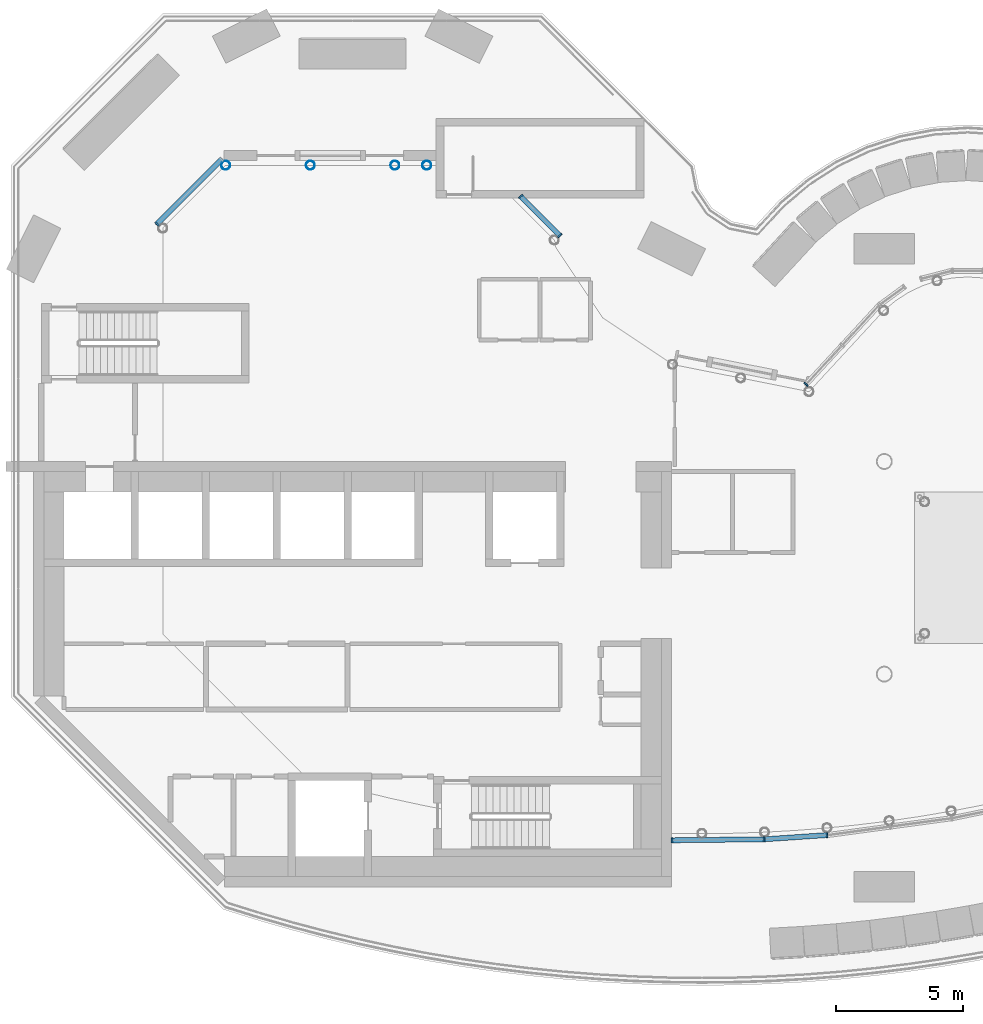
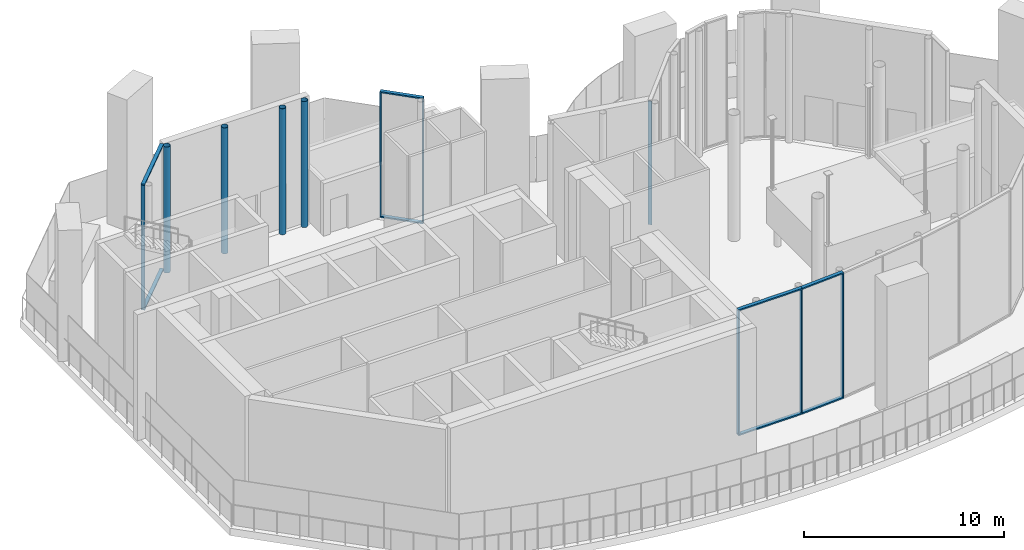
# One storey, part 3 of 14: 15 members, 4 columns, 5 elements without a shape of their own.
"""IFC4 building model written with IfcOpenShell, lengths in metres."""

import ifcopenshell
import ifcopenshell.guid

model = None  # the IFC model being written
_history = None  # IfcOwnerHistory: only IFC2X3 demands one
_inside = {}  # id of a spatial element -> (the spatial element, [elements in it])
_under = {}  # id of a project, library or spatial element -> (it, [spatial elements below it])
_declared = {}  # id of a project -> (the project, [libraries it declares])
_typed = {}  # id of a type object -> (the type object, [elements of that type])
_made_of = {}  # id of a material, layer set ... -> (it, [elements and type objects made of it])


def new_model(schema):
    """Start an empty IFC model of exactly this schema.

    Asked for "IFC4X3", IfcOpenShell would pick the latest addendum, in which some entities
    have other attributes; the version numbers below select the first issue.
    IFC2X3 requires an IfcOwnerHistory on every rooted entity: one is made here for all.
    """
    global model, _history
    if schema == "IFC4X3":
        model = ifcopenshell.file(schema_version=(4, 3, 0, 0))
    else:
        model = ifcopenshell.file(schema=schema)
    _inside.clear()
    _under.clear()
    _declared.clear()
    _typed.clear()
    _made_of.clear()
    _history = None
    if model.schema == "IFC2X3":
        org = make("IfcOrganization", Name="unknown")
        user = make(
            "IfcPersonAndOrganization",
            ThePerson=make("IfcPerson", FamilyName="unknown"),
            TheOrganization=org,
        )
        app = make(
            "IfcApplication",
            ApplicationDeveloper=org,
            Version="unknown",
            ApplicationFullName="unknown",
            ApplicationIdentifier="unknown",
        )
        _history = make(
            "IfcOwnerHistory",
            OwningUser=user,
            OwningApplication=app,
            ChangeAction="ADDED",
            CreationDate=0,
        )
    return model


def make(cls, **values):
    """One entity of the class cls with the attributes given. An attribute that is None is left unset."""
    return model.create_entity(
        cls, **{name: value for name, value in values.items() if value is not None}
    )


def rooted(cls, **values):
    """An entity with a GlobalId (a new one), such as an element, a storey or a relation."""
    return make(cls, GlobalId=ifcopenshell.guid.new(), OwnerHistory=_history, **values)


def si_unit(unit_type, name, prefix=None):
    """IfcSIUnit, for example si_unit("LENGTHUNIT", "METRE", prefix="MILLI")."""
    return make("IfcSIUnit", UnitType=unit_type, Prefix=prefix, Name=name)


def assignment(units):
    """IfcUnitAssignment: the units of a project."""
    return None if units is None else make("IfcUnitAssignment", Units=units)


def point(xyz):
    """IfcCartesianPoint."""
    return None if xyz is None else make("IfcCartesianPoint", Coordinates=xyz)


def direction(xyz):
    """IfcDirection."""
    return None if xyz is None else make("IfcDirection", DirectionRatios=xyz)


def frame(location, z_axis=None, x_axis=None):
    """IfcAxis2Placement3D, a coordinate frame: its origin and axes. An axis left out is left unset."""
    return make(
        "IfcAxis2Placement3D",
        Location=point(location),
        Axis=direction(z_axis),
        RefDirection=direction(x_axis),
    )


def frame_2d(location, x_axis=None):
    """IfcAxis2Placement2D, a coordinate frame in the plane: its origin and x axis."""
    return make(
        "IfcAxis2Placement2D", Location=point(location), RefDirection=direction(x_axis)
    )


def origin():
    """The frame at (0, 0, 0) with its axes left unset."""
    return frame((0.0, 0.0, 0.0))


def origin_2d():
    """The frame at (0, 0) in the plane with its x axis left unset."""
    return frame_2d((0.0, 0.0))


def place(relative_to, where):
    """IfcLocalPlacement: puts the frame where relative to a parent placement (None: the world)."""
    return make(
        "IfcLocalPlacement", PlacementRelTo=relative_to, RelativePlacement=where
    )


def context(
    kind, dimensions, precision=None, world=None, true_north=None, identifier=None
):
    """IfcGeometricRepresentationContext, for example the 3D "Model" context."""
    return make(
        "IfcGeometricRepresentationContext",
        ContextIdentifier=identifier,
        ContextType=kind,
        CoordinateSpaceDimension=dimensions,
        Precision=precision,
        WorldCoordinateSystem=world,
        TrueNorth=true_north,
    )


def subcontext(parent, identifier, kind, view, scale=None):
    """IfcGeometricRepresentationSubContext, for example "Body" below "Model"."""
    return make(
        "IfcGeometricRepresentationSubContext",
        ContextIdentifier=identifier,
        ContextType=kind,
        ParentContext=parent,
        TargetScale=scale,
        TargetView=view,
    )


def project(units=None, contexts=None):
    """IfcProject with its units and contexts."""
    return rooted(
        "IfcProject",
        Name="project",
        RepresentationContexts=contexts,
        UnitsInContext=assignment(units),
    )


def spatial(cls, under=None, at=None, **own):
    """A site, building, storey or space (cls), placed at a placement, below another one or the project."""
    s = rooted(cls, ObjectPlacement=at, **own)
    if under is not None:
        _under.setdefault(under.id(), (under, []))[1].append(s)
    return s


def profile(cls, at=None, kind="AREA", **sizes):
    """A parametric profile (cls). Its sizes go by their IFC names, for example OverallWidth=200.0."""
    return make(cls, ProfileType=kind, Position=at, **sizes)


def rectangle(**sizes):
    """IfcRectangleProfileDef."""
    return profile("IfcRectangleProfileDef", **sizes)


def hollow_circle(**sizes):
    """IfcCircleHollowProfileDef."""
    return profile("IfcCircleHollowProfileDef", **sizes)


def extrude(swept, where, along, depth):
    """IfcExtrudedAreaSolid: the profile swept, set in the frame where, extruded along a direction by depth."""
    return make(
        "IfcExtrudedAreaSolid",
        SweptArea=swept,
        Position=where,
        ExtrudedDirection=direction(along),
        Depth=depth,
    )


def shape(context_of_items, identifier, shape_type, items):
    """IfcShapeRepresentation: the items that make up one representation, for example the "Body"."""
    return make(
        "IfcShapeRepresentation",
        ContextOfItems=context_of_items,
        RepresentationIdentifier=identifier,
        RepresentationType=shape_type,
        Items=items,
    )


def material(Name=None, Category=None):
    """IfcMaterial."""
    return make("IfcMaterial", Name=Name, Category=Category)


def material_profile(
    of_material, cross_section, Name=None, Category=None, Priority=None
):
    """IfcMaterialProfile: a cross section and its material."""
    return make(
        "IfcMaterialProfile",
        Name=Name,
        Material=of_material,
        Profile=cross_section,
        Priority=Priority,
        Category=Category,
    )


def profile_set(profiles, Name=None, composite=None):
    """IfcMaterialProfileSet."""
    return make(
        "IfcMaterialProfileSet",
        Name=Name,
        MaterialProfiles=profiles,
        CompositeProfile=composite,
    )


def made_of(thing, what):
    """Note that an element or type object is made of a material, layer set ...; save() writes the relation."""
    if what is not None:
        _made_of.setdefault(what.id(), (what, []))[1].append(thing)
    return thing


def type_object(cls, material=None, **own):
    """A type object (cls), such as IfcWallType, which elements share."""
    return made_of(rooted(cls, **own), material)


def element(
    cls,
    number,
    at=None,
    inside=None,
    cuts=None,
    type_object=None,
    material=None,
    context=None,
    identifier="Body",
    shape_type=None,
    held_by="IfcProductDefinitionShape",
    body=None,
    shapes=None,
    **own,
):
    """One element of the class cls, such as IfcWall. Its Tag is "e" and its number.

    at: its placement. inside: the storey or other place that contains it. cuts: it is an
    opening in that element (IfcRelVoidsElement). A single representation is given by context,
    identifier, shape_type and body (its items); several are given by shapes. held_by: the class
    of the entity that holds the representations. save() writes the other relations.
    """
    e = rooted(cls, Tag="e%d" % number, ObjectPlacement=at, **own)
    if body is not None:
        shapes = [shape(context, identifier, shape_type, body)]
    if shapes is not None:
        e.Representation = make(held_by, Representations=shapes)
    if inside is not None:
        _inside.setdefault(inside.id(), (inside, []))[1].append(e)
    if cuts is not None:
        rooted(
            "IfcRelVoidsElement", RelatingBuildingElement=cuts, RelatedOpeningElement=e
        )
    if type_object is not None:
        _typed.setdefault(type_object.id(), (type_object, []))[1].append(e)
    return made_of(e, material)


def aggregate(whole, parts):
    """IfcRelAggregates: a whole, such as a stair, and the parts it consists of."""
    return rooted("IfcRelAggregates", RelatingObject=whole, RelatedObjects=parts)


def save(model, path):
    """Write the relations noted so far, then the file.

    IfcRelAggregates (storeys below a building ...), IfcRelContainedInSpatialStructure (elements
    in a storey), IfcRelDefinesByType, IfcRelAssociatesMaterial and IfcRelDeclares: one each for
    every whole, place, type object, material and project.
    """
    for whole, parts in _under.values():
        aggregate(whole, parts)
    for where, things in _inside.values():
        rooted(
            "IfcRelContainedInSpatialStructure",
            RelatedElements=things,
            RelatingStructure=where,
        )
    for kind, things in _typed.values():
        rooted("IfcRelDefinesByType", RelatedObjects=things, RelatingType=kind)
    for what, things in _made_of.values():
        rooted("IfcRelAssociatesMaterial", RelatedObjects=things, RelatingMaterial=what)
    for by, libraries in _declared.values():
        rooted("IfcRelDeclares", RelatingContext=by, RelatedDefinitions=libraries)
    model.write(path)


model = new_model("IFC4")

# Units and contexts
model_context = context("Model", 3, precision=1e-05, world=origin(), true_north=direction((0.0, 1.0)))
body_context = subcontext(model_context, "Body", "Model", "MODEL_VIEW")
ifc_project = project(units=[si_unit("LENGTHUNIT", "METRE"), si_unit("AREAUNIT", "SQUARE_METRE"), si_unit("VOLUMEUNIT", "CUBIC_METRE"), si_unit("PLANEANGLEUNIT", "RADIAN"), si_unit("MASSUNIT", "GRAM", prefix="KILO")], contexts=[model_context])

# Site, building, storey
site_placement = place(None, origin())
site = spatial("IfcSite", under=ifc_project, at=site_placement, CompositionType="ELEMENT")
building_placement = place(site_placement, origin())
building = spatial("IfcBuilding", under=site, at=building_placement, Name="Brevane Broadcast Tower", CompositionType="ELEMENT")
storey_placement = place(building_placement, frame((0.0, 0.0, 256.199951171875)))
storey = spatial("IfcBuildingStorey", under=building, at=storey_placement, Name="L65", CompositionType="ELEMENT", Elevation=256.199951171875)

# Columns
ifc_material_1 = material(Name="Steel S355", Category="steel")
ifc_material_profile_1 = material_profile(ifc_material_1, hollow_circle(Radius=0.177734375, WallThickness=0.012451171875, at=origin_2d()), Name="CHS 355.6x12.5")
ifc_profile_set_1 = profile_set([ifc_material_profile_1], Name="Steel S355")
column_type = type_object("IfcColumnType", Name="STEEL ENCLOSURE POST CHS 355.6x12.5 S355", PredefinedType="COLUMN", material=ifc_profile_set_1)
for number, where, z_axis, x_axis, name in (
    (1, (7.585205078125, 28.5, 0.0), (0.0, 0.0, 1.0), (1.0, 0.0, 0.0), "SP2 2"),
    (2, (10.928466796875, 28.5, 0.0), (0.0, 0.0, 1.0), (1.0, 0.0, 0.0), "SP2 3"),
    (3, (14.271484375, 28.5, 0.0), (0.0, 0.0, 1.0), (1.0, 0.0, 0.0), "SP2 4"),
    (4, (15.52880859375, 28.5, 0.0), (0.0, 0.0, 1.0), (1.0, 0.0, 0.0), "SP2 5"),
):
    element("IfcColumn", number, at=place(storey_placement, frame(where, z_axis=z_axis, x_axis=x_axis)), inside=storey, type_object=column_type, Name=name, PredefinedType="COLUMN", context=body_context, shape_type="SweptSolid", body=[
        extrude(hollow_circle(Radius=0.177734375, WallThickness=0.012451171875, at=origin_2d()), origin(), (0.0, 0.0, 1.0), 7.699951171875),
    ])

# Curtain wall, members
ifc_material_2 = material(Name="Aluminium 6063-T6 bronze anodised", Category="aluminium")
curtain_wall_type = type_object("IfcCurtainWallType", Name="CW-5 curtain wall", PredefinedType="NOTDEFINED", material=ifc_material_2)
curtain_wall_1_placement = place(storey_placement, origin())
curtain_wall_1 = element("IfcCurtainWall", 5, at=curtain_wall_1_placement, inside=storey, type_object=curtain_wall_type, Name="CW-5 hall glazing 1", PredefinedType="NOTDEFINED")
ifc_material_profile_2 = material_profile(ifc_material_2, rectangle(XDim=0.199951171875, YDim=0.06005859375, at=origin_2d()), Name="RECT 60x200")
ifc_profile_set_2 = profile_set([ifc_material_profile_2], Name="Aluminium 6063-T6 bronze anodised")
member_type_1 = type_object("IfcMemberType", Name="CW-5 hall mullion 60x200", PredefinedType="MULLION", material=ifc_profile_set_2)
member_1_placement = place(storey_placement, frame((25.211181640625, 1.8349609375, 0.080078125), z_axis=(0.0, 0.0, 1.0), x_axis=(-0.011243631559, 0.999936788377, 0.0)))
member_1 = element("IfcMember", 6, at=member_1_placement, type_object=member_type_1, Name="CW-5 hall glazing mullion", PredefinedType="MULLION", context=body_context, shape_type="SweptSolid", body=[
    extrude(rectangle(XDim=0.199951171875, YDim=0.06005859375, at=origin_2d()), origin(), (0.0, 0.0, 1.0), 7.5400390625),
])
member_2_placement = place(storey_placement, frame((28.853515625, 1.8759765625, 0.080078125), z_axis=(0.0, 0.0, 1.0), x_axis=(-0.011243631559, 0.999936788377, 0.0)))
member_2 = element("IfcMember", 7, at=member_2_placement, type_object=member_type_1, Name="CW-5 hall glazing mullion", PredefinedType="MULLION", context=body_context, shape_type="SweptSolid", body=[
    extrude(rectangle(XDim=0.199951171875, YDim=0.06005859375, at=origin_2d()), origin(), (0.0, 0.0, 1.0), 7.5400390625),
])

# Curtain wall, member
curtain_wall_2_placement = place(storey_placement, origin())
curtain_wall_2 = element("IfcCurtainWall", 8, at=curtain_wall_2_placement, inside=storey, type_object=curtain_wall_type, Name="CW-5 hall glazing 2", PredefinedType="NOTDEFINED")
member_3_placement = place(storey_placement, frame((31.3369140625, 2.041748046875, 0.080078125), z_axis=(0.0, 0.0, 1.0), x_axis=(-0.067413166345, 0.997725145019, 0.0)))
member_3 = element("IfcMember", 9, at=member_3_placement, type_object=member_type_1, Name="CW-5 hall glazing mullion", PredefinedType="MULLION", context=body_context, shape_type="SweptSolid", body=[
    extrude(rectangle(XDim=0.199951171875, YDim=0.06005859375, at=origin_2d()), origin(), (0.0, 0.0, 1.0), 7.5400390625),
])

curtain_wall_3_placement = place(storey_placement, origin())
curtain_wall_3 = element("IfcCurtainWall", 10, at=curtain_wall_3_placement, inside=storey, type_object=curtain_wall_type, Name="CW-5 hall glazing 15", PredefinedType="NOTDEFINED")
member_4_placement = place(storey_placement, frame((30.5107421875, 19.84521484375, 0.080078125), z_axis=(0.0, 0.0, 1.0), x_axis=(0.734785014559, -0.678300068097, 0.0)))
member_4 = element("IfcMember", 11, at=member_4_placement, type_object=member_type_1, Name="CW-5 hall glazing mullion", PredefinedType="MULLION", context=body_context, shape_type="SweptSolid", body=[
    extrude(rectangle(XDim=0.199951171875, YDim=0.06005859375, at=origin_2d()), origin(), (0.0, 0.0, 1.0), 7.5400390625),
])
aggregate(curtain_wall_3, [member_4])

# Curtain wall, members
curtain_wall_4_placement = place(storey_placement, origin())
curtain_wall_4 = element("IfcCurtainWall", 12, at=curtain_wall_4_placement, inside=storey, type_object=curtain_wall_type, Name="CW-5 hall glazing 17", PredefinedType="NOTDEFINED")
member_5_placement = place(storey_placement, frame((20.78564453125, 25.724853515625, 0.080078125), z_axis=(0.0, 0.0, 1.0), x_axis=(-0.707106781187, -0.707106781187, 0.0)))
member_5 = element("IfcMember", 13, at=member_5_placement, type_object=member_type_1, Name="CW-5 hall glazing mullion", PredefinedType="MULLION", context=body_context, shape_type="SweptSolid", body=[
    extrude(rectangle(XDim=0.199951171875, YDim=0.06005859375, at=origin_2d()), origin(), (0.0, 0.0, 1.0), 7.5400390625),
])
member_6_placement = place(storey_placement, frame((19.2412109375, 27.26953125, 0.080078125), z_axis=(0.0, 0.0, 1.0), x_axis=(-0.707106781187, -0.707106781187, 0.0)))
member_6 = element("IfcMember", 14, at=member_6_placement, type_object=member_type_1, Name="CW-5 hall glazing mullion", PredefinedType="MULLION", context=body_context, shape_type="SweptSolid", body=[
    extrude(rectangle(XDim=0.199951171875, YDim=0.06005859375, at=origin_2d()), origin(), (0.0, 0.0, 1.0), 7.5400390625),
])

# Curtain wall, member
curtain_wall_5_placement = place(storey_placement, origin())
curtain_wall_5 = element("IfcCurtainWall", 15, at=curtain_wall_5_placement, inside=storey, type_object=curtain_wall_type, Name="CW-5 hall glazing 19", PredefinedType="NOTDEFINED")
member_7_placement = place(storey_placement, frame((4.87060546875, 26.18115234375, 0.080078125), z_axis=(0.0, 0.0, 1.0), x_axis=(0.707106781187, -0.707106781187, 0.0)))
member_7 = element("IfcMember", 16, at=member_7_placement, type_object=member_type_1, Name="CW-5 hall glazing mullion", PredefinedType="MULLION", context=body_context, shape_type="SweptSolid", body=[
    extrude(rectangle(XDim=0.199951171875, YDim=0.06005859375, at=origin_2d()), origin(), (0.0, 0.0, 1.0), 7.5400390625),
])

# Member
ifc_material_profile_3 = material_profile(ifc_material_2, rectangle(XDim=0.199951171875, YDim=0.080078125, at=origin_2d()), Name="RECT 80x200")
ifc_profile_set_3 = profile_set([ifc_material_profile_3], Name="Aluminium 6063-T6 bronze anodised")
member_type_2 = type_object("IfcMemberType", Name="CW-5 hall transom 80x200", PredefinedType="USERDEFINED", material=ifc_profile_set_3)
member_8_placement = place(storey_placement, frame((25.18115234375, 1.83447265625, 0.0400390625), z_axis=(0.999936432375, 0.011275247605, 0.0), x_axis=(-0.011275247605, 0.999936432375, 0.0)))
member_8 = element("IfcMember", 17, at=member_8_placement, type_object=member_type_2, Name="CW-5 hall glazing transom", ObjectType="TRANSOM", PredefinedType="USERDEFINED", context=body_context, shape_type="SweptSolid", body=[
    extrude(rectangle(XDim=0.199951171875, YDim=0.080078125, at=origin_2d()), origin(), (0.0, 0.0, 1.0), 3.70263671875),
])

member_9_placement = place(storey_placement, frame((25.18115234375, 1.83447265625, 7.66015625), z_axis=(0.999936432375, 0.011275247605, 0.0), x_axis=(-0.011275247605, 0.999936432375, 0.0)))
member_9 = element("IfcMember", 18, at=member_9_placement, type_object=member_type_2, Name="CW-5 hall glazing transom", ObjectType="TRANSOM", PredefinedType="USERDEFINED", context=body_context, shape_type="SweptSolid", body=[
    extrude(rectangle(XDim=0.199951171875, YDim=0.080078125, at=origin_2d()), origin(), (0.0, 0.0, 1.0), 3.70263671875),
])

aggregate(curtain_wall_1, [member_1, member_2, member_8, member_9])

member_10_placement = place(storey_placement, frame((28.88916015625, 1.87646484375, 0.0400390625), z_axis=(0.997722953069, 0.067445599705, 0.0), x_axis=(-0.067445599705, 0.997722953069, 0.0)))
member_10 = element("IfcMember", 19, at=member_10_placement, type_object=member_type_2, Name="CW-5 hall glazing transom", ObjectType="TRANSOM", PredefinedType="USERDEFINED", context=body_context, shape_type="SweptSolid", body=[
    extrude(rectangle(XDim=0.199951171875, YDim=0.080078125, at=origin_2d()), origin(), (0.0, 0.0, 1.0), 2.483154296875),
])

member_11_placement = place(storey_placement, frame((28.88916015625, 1.87646484375, 7.66015625), z_axis=(0.997722953069, 0.067445599705, 0.0), x_axis=(-0.067445599705, 0.997722953069, 0.0)))
member_11 = element("IfcMember", 20, at=member_11_placement, type_object=member_type_2, Name="CW-5 hall glazing transom", ObjectType="TRANSOM", PredefinedType="USERDEFINED", context=body_context, shape_type="SweptSolid", body=[
    extrude(rectangle(XDim=0.199951171875, YDim=0.080078125, at=origin_2d()), origin(), (0.0, 0.0, 1.0), 2.483154296875),
])

aggregate(curtain_wall_2, [member_3, member_10, member_11])

member_12_placement = place(storey_placement, frame((20.806884765625, 25.70361328125, 0.0400390625), z_axis=(-0.707052390449, 0.70716116774, 0.0), x_axis=(-0.70716116774, -0.707052390449, 0.0)))
member_12 = element("IfcMember", 21, at=member_12_placement, type_object=member_type_2, Name="CW-5 hall glazing transom", ObjectType="TRANSOM", PredefinedType="USERDEFINED", context=body_context, shape_type="SweptSolid", body=[
    extrude(rectangle(XDim=0.199951171875, YDim=0.080078125, at=origin_2d()), origin(), (0.0, 0.0, 1.0), 2.244384765625),
])

member_13_placement = place(storey_placement, frame((20.806884765625, 25.70361328125, 7.66015625), z_axis=(-0.707052390449, 0.70716116774, 0.0), x_axis=(-0.70716116774, -0.707052390449, 0.0)))
member_13 = element("IfcMember", 22, at=member_13_placement, type_object=member_type_2, Name="CW-5 hall glazing transom", ObjectType="TRANSOM", PredefinedType="USERDEFINED", context=body_context, shape_type="SweptSolid", body=[
    extrude(rectangle(XDim=0.199951171875, YDim=0.080078125, at=origin_2d()), origin(), (0.0, 0.0, 1.0), 2.244384765625),
])

aggregate(curtain_wall_4, [member_5, member_6, member_12, member_13])

member_14_placement = place(storey_placement, frame((7.43994140625, 28.750732421875, 0.0400390625), z_axis=(-0.707073462455, -0.707140098348, 0.0), x_axis=(0.707140098348, -0.707073462455, 0.0)))
member_14 = element("IfcMember", 23, at=member_14_placement, type_object=member_type_2, Name="CW-5 hall glazing transom", ObjectType="TRANSOM", PredefinedType="USERDEFINED", context=body_context, shape_type="SweptSolid", body=[
    extrude(rectangle(XDim=0.199951171875, YDim=0.080078125, at=origin_2d()), origin(), (0.0, 0.0, 1.0), 3.663818359375),
])

member_15_placement = place(storey_placement, frame((7.43994140625, 28.750732421875, 7.66015625), z_axis=(-0.707073462455, -0.707140098348, 0.0), x_axis=(0.707140098348, -0.707073462455, 0.0)))
member_15 = element("IfcMember", 24, at=member_15_placement, type_object=member_type_2, Name="CW-5 hall glazing transom", ObjectType="TRANSOM", PredefinedType="USERDEFINED", context=body_context, shape_type="SweptSolid", body=[
    extrude(rectangle(XDim=0.199951171875, YDim=0.080078125, at=origin_2d()), origin(), (0.0, 0.0, 1.0), 3.663818359375),
])

aggregate(curtain_wall_5, [member_7, member_14, member_15])

save(model, "model.ifc")
